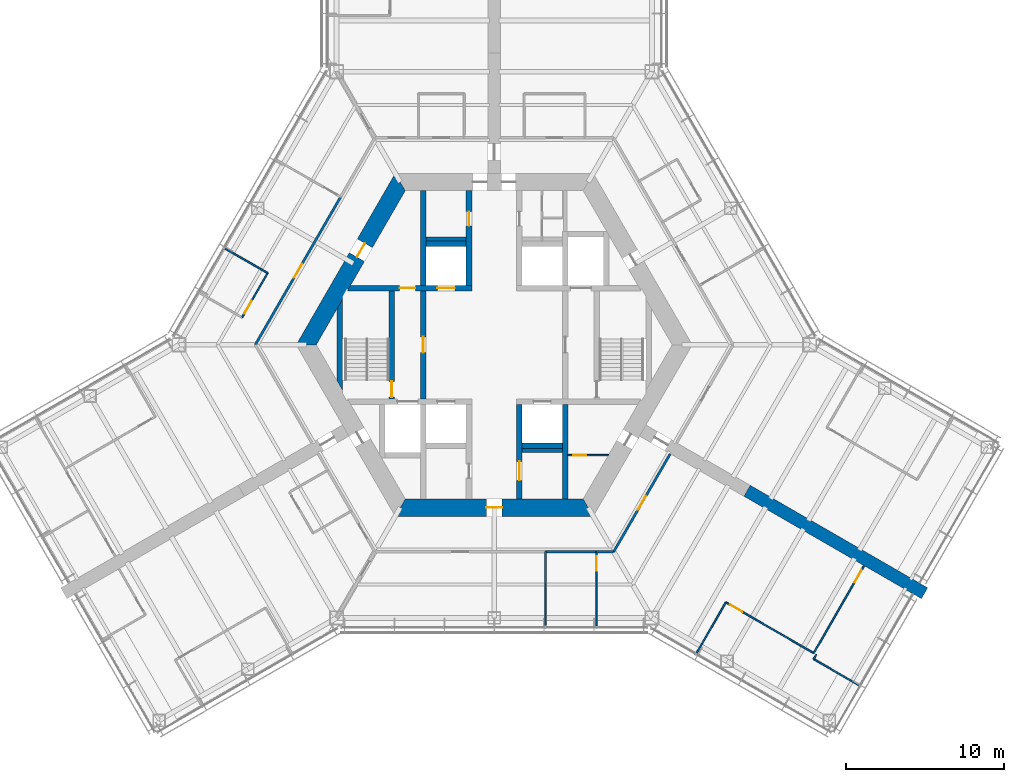
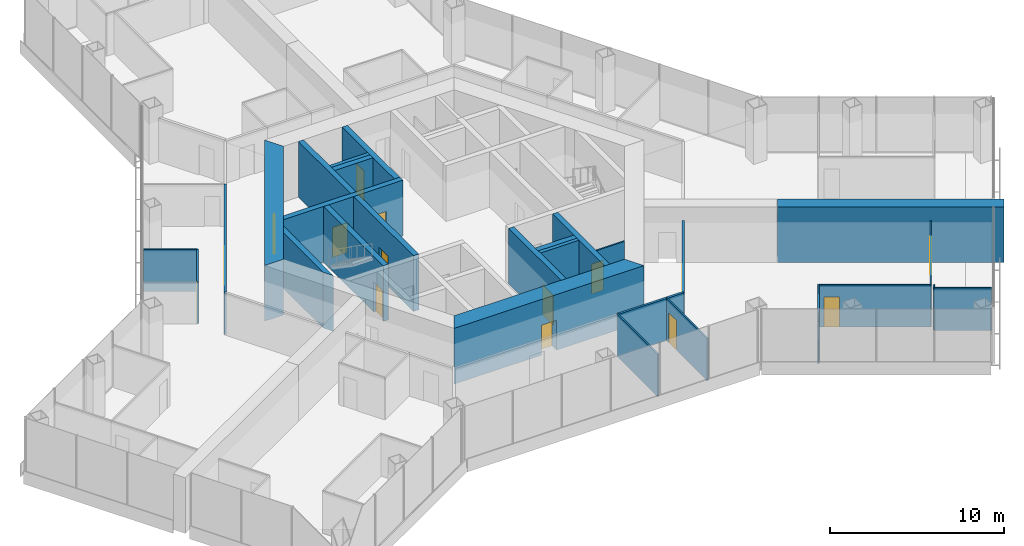
# One storey, part 13 of 18: 29 walls, 15 doors, 15 openings.
"""IFC4 building model written with IfcOpenShell, lengths in metres."""

import ifcopenshell
import ifcopenshell.guid

model = None  # the IFC model being written
_history = None  # IfcOwnerHistory: only IFC2X3 demands one
_inside = {}  # id of a spatial element -> (the spatial element, [elements in it])
_under = {}  # id of a project, library or spatial element -> (it, [spatial elements below it])
_declared = {}  # id of a project -> (the project, [libraries it declares])
_typed = {}  # id of a type object -> (the type object, [elements of that type])
_made_of = {}  # id of a material, layer set ... -> (it, [elements and type objects made of it])


def new_model(schema):
    """Start an empty IFC model of exactly this schema.

    Asked for "IFC4X3", IfcOpenShell would pick the latest addendum, in which some entities
    have other attributes; the version numbers below select the first issue.
    IFC2X3 requires an IfcOwnerHistory on every rooted entity: one is made here for all.
    """
    global model, _history
    if schema == "IFC4X3":
        model = ifcopenshell.file(schema_version=(4, 3, 0, 0))
    else:
        model = ifcopenshell.file(schema=schema)
    _inside.clear()
    _under.clear()
    _declared.clear()
    _typed.clear()
    _made_of.clear()
    _history = None
    if model.schema == "IFC2X3":
        org = make("IfcOrganization", Name="unknown")
        user = make(
            "IfcPersonAndOrganization",
            ThePerson=make("IfcPerson", FamilyName="unknown"),
            TheOrganization=org,
        )
        app = make(
            "IfcApplication",
            ApplicationDeveloper=org,
            Version="unknown",
            ApplicationFullName="unknown",
            ApplicationIdentifier="unknown",
        )
        _history = make(
            "IfcOwnerHistory",
            OwningUser=user,
            OwningApplication=app,
            ChangeAction="ADDED",
            CreationDate=0,
        )
    return model


def make(cls, **values):
    """One entity of the class cls with the attributes given. An attribute that is None is left unset."""
    return model.create_entity(
        cls, **{name: value for name, value in values.items() if value is not None}
    )


def rooted(cls, **values):
    """An entity with a GlobalId (a new one), such as an element, a storey or a relation."""
    return make(cls, GlobalId=ifcopenshell.guid.new(), OwnerHistory=_history, **values)


def si_unit(unit_type, name, prefix=None):
    """IfcSIUnit, for example si_unit("LENGTHUNIT", "METRE", prefix="MILLI")."""
    return make("IfcSIUnit", UnitType=unit_type, Prefix=prefix, Name=name)


def assignment(units):
    """IfcUnitAssignment: the units of a project."""
    return None if units is None else make("IfcUnitAssignment", Units=units)


def point(xyz):
    """IfcCartesianPoint."""
    return None if xyz is None else make("IfcCartesianPoint", Coordinates=xyz)


def direction(xyz):
    """IfcDirection."""
    return None if xyz is None else make("IfcDirection", DirectionRatios=xyz)


def frame(location, z_axis=None, x_axis=None):
    """IfcAxis2Placement3D, a coordinate frame: its origin and axes. An axis left out is left unset."""
    return make(
        "IfcAxis2Placement3D",
        Location=point(location),
        Axis=direction(z_axis),
        RefDirection=direction(x_axis),
    )


def frame_2d(location, x_axis=None):
    """IfcAxis2Placement2D, a coordinate frame in the plane: its origin and x axis."""
    return make(
        "IfcAxis2Placement2D", Location=point(location), RefDirection=direction(x_axis)
    )


def origin():
    """The frame at (0, 0, 0) with its axes left unset."""
    return frame((0.0, 0.0, 0.0))


def place(relative_to, where):
    """IfcLocalPlacement: puts the frame where relative to a parent placement (None: the world)."""
    return make(
        "IfcLocalPlacement", PlacementRelTo=relative_to, RelativePlacement=where
    )


def context(
    kind, dimensions, precision=None, world=None, true_north=None, identifier=None
):
    """IfcGeometricRepresentationContext, for example the 3D "Model" context."""
    return make(
        "IfcGeometricRepresentationContext",
        ContextIdentifier=identifier,
        ContextType=kind,
        CoordinateSpaceDimension=dimensions,
        Precision=precision,
        WorldCoordinateSystem=world,
        TrueNorth=true_north,
    )


def subcontext(parent, identifier, kind, view, scale=None):
    """IfcGeometricRepresentationSubContext, for example "Body" below "Model"."""
    return make(
        "IfcGeometricRepresentationSubContext",
        ContextIdentifier=identifier,
        ContextType=kind,
        ParentContext=parent,
        TargetScale=scale,
        TargetView=view,
    )


def project(units=None, contexts=None):
    """IfcProject with its units and contexts."""
    return rooted(
        "IfcProject",
        Name="project",
        RepresentationContexts=contexts,
        UnitsInContext=assignment(units),
    )


def spatial(cls, under=None, at=None, **own):
    """A site, building, storey or space (cls), placed at a placement, below another one or the project."""
    s = rooted(cls, ObjectPlacement=at, **own)
    if under is not None:
        _under.setdefault(under.id(), (under, []))[1].append(s)
    return s


def polyline(points):
    """IfcPolyline through the points."""
    return make("IfcPolyline", Points=[point(p) for p in points])


def profile(cls, at=None, kind="AREA", **sizes):
    """A parametric profile (cls). Its sizes go by their IFC names, for example OverallWidth=200.0."""
    return make(cls, ProfileType=kind, Position=at, **sizes)


def rectangle(**sizes):
    """IfcRectangleProfileDef."""
    return profile("IfcRectangleProfileDef", **sizes)


def outline(outer, holes=None, kind="AREA"):
    """IfcArbitraryClosedProfileDef: a profile drawn as a closed curve; with holes, ...WithVoids."""
    if holes is None:
        return make("IfcArbitraryClosedProfileDef", ProfileType=kind, OuterCurve=outer)
    return make(
        "IfcArbitraryProfileDefWithVoids",
        ProfileType=kind,
        OuterCurve=outer,
        InnerCurves=holes,
    )


def extrude(swept, where, along, depth):
    """IfcExtrudedAreaSolid: the profile swept, set in the frame where, extruded along a direction by depth."""
    return make(
        "IfcExtrudedAreaSolid",
        SweptArea=swept,
        Position=where,
        ExtrudedDirection=direction(along),
        Depth=depth,
    )


def shape(context_of_items, identifier, shape_type, items):
    """IfcShapeRepresentation: the items that make up one representation, for example the "Body"."""
    return make(
        "IfcShapeRepresentation",
        ContextOfItems=context_of_items,
        RepresentationIdentifier=identifier,
        RepresentationType=shape_type,
        Items=items,
    )


def material(Name=None, Category=None):
    """IfcMaterial."""
    return make("IfcMaterial", Name=Name, Category=Category)


def layer(
    of_material, thickness, ventilated=None, Name=None, Category=None, Priority=None
):
    """IfcMaterialLayer: one layer of a wall or slab, of a material (None: an air gap)."""
    return make(
        "IfcMaterialLayer",
        Material=of_material,
        LayerThickness=thickness,
        IsVentilated=ventilated,
        Name=Name,
        Category=Category,
        Priority=Priority,
    )


def layer_set(layers, Name=None):
    """IfcMaterialLayerSet."""
    return make("IfcMaterialLayerSet", MaterialLayers=layers, LayerSetName=Name)


def made_of(thing, what):
    """Note that an element or type object is made of a material, layer set ...; save() writes the relation."""
    if what is not None:
        _made_of.setdefault(what.id(), (what, []))[1].append(thing)
    return thing


def type_object(cls, material=None, **own):
    """A type object (cls), such as IfcWallType, which elements share."""
    return made_of(rooted(cls, **own), material)


def element(
    cls,
    number,
    at=None,
    inside=None,
    cuts=None,
    type_object=None,
    material=None,
    context=None,
    identifier="Body",
    shape_type=None,
    held_by="IfcProductDefinitionShape",
    body=None,
    shapes=None,
    **own,
):
    """One element of the class cls, such as IfcWall. Its Tag is "e" and its number.

    at: its placement. inside: the storey or other place that contains it. cuts: it is an
    opening in that element (IfcRelVoidsElement). A single representation is given by context,
    identifier, shape_type and body (its items); several are given by shapes. held_by: the class
    of the entity that holds the representations. save() writes the other relations.
    """
    e = rooted(cls, Tag="e%d" % number, ObjectPlacement=at, **own)
    if body is not None:
        shapes = [shape(context, identifier, shape_type, body)]
    if shapes is not None:
        e.Representation = make(held_by, Representations=shapes)
    if inside is not None:
        _inside.setdefault(inside.id(), (inside, []))[1].append(e)
    if cuts is not None:
        rooted(
            "IfcRelVoidsElement", RelatingBuildingElement=cuts, RelatedOpeningElement=e
        )
    if type_object is not None:
        _typed.setdefault(type_object.id(), (type_object, []))[1].append(e)
    return made_of(e, material)


def fill(opening, filler):
    """IfcRelFillsElement: the door or window that sits in an opening."""
    return rooted(
        "IfcRelFillsElement",
        RelatingOpeningElement=opening,
        RelatedBuildingElement=filler,
    )


def aggregate(whole, parts):
    """IfcRelAggregates: a whole, such as a stair, and the parts it consists of."""
    return rooted("IfcRelAggregates", RelatingObject=whole, RelatedObjects=parts)


def save(model, path):
    """Write the relations noted so far, then the file.

    IfcRelAggregates (storeys below a building ...), IfcRelContainedInSpatialStructure (elements
    in a storey), IfcRelDefinesByType, IfcRelAssociatesMaterial and IfcRelDeclares: one each for
    every whole, place, type object, material and project.
    """
    for whole, parts in _under.values():
        aggregate(whole, parts)
    for where, things in _inside.values():
        rooted(
            "IfcRelContainedInSpatialStructure",
            RelatedElements=things,
            RelatingStructure=where,
        )
    for kind, things in _typed.values():
        rooted("IfcRelDefinesByType", RelatedObjects=things, RelatingType=kind)
    for what, things in _made_of.values():
        rooted("IfcRelAssociatesMaterial", RelatedObjects=things, RelatingMaterial=what)
    for by, libraries in _declared.values():
        rooted("IfcRelDeclares", RelatingContext=by, RelatedDefinitions=libraries)
    model.write(path)


model = new_model("IFC4")

# Units and contexts
model_context = context("Model", 3, precision=1e-05, world=origin(), true_north=direction((0.0, 1.0)))
body_context = subcontext(model_context, "Body", "Model", "MODEL_VIEW")
ifc_project = project(units=[si_unit("LENGTHUNIT", "METRE"), si_unit("AREAUNIT", "SQUARE_METRE"), si_unit("VOLUMEUNIT", "CUBIC_METRE"), si_unit("PLANEANGLEUNIT", "RADIAN"), si_unit("MASSUNIT", "GRAM", prefix="KILO")], contexts=[model_context])

# Site, building, storey
site_placement = place(None, origin())
site = spatial("IfcSite", under=ifc_project, at=site_placement, CompositionType="ELEMENT")
building_placement = place(site_placement, origin())
building = spatial("IfcBuilding", under=site, at=building_placement, Name="Kasaneha Research Tower", CompositionType="ELEMENT")
storey_placement = place(building_placement, frame((0.0, 0.0, 108.0)))
storey = spatial("IfcBuildingStorey", under=building, at=storey_placement, Name="L27", CompositionType="ELEMENT", Elevation=108.0)

# Wall, openings, doors
ifc_material_1 = material(Name="Concrete Fc80", Category="concrete")
ifc_layer_1 = layer(ifc_material_1, 0.35009765625)
ifc_layer_set_1 = layer_set([ifc_layer_1], Name="Core internal wall 350 Fc80")
wall_type_1 = type_object("IfcWallType", Name="Core internal wall 350 Fc80", PredefinedType="SHEAR", material=ifc_layer_set_1)
wall_1_placement = place(storey_placement, frame((-9.208740234375, 3.60009765625, 0.0), z_axis=(0.0, 0.0, 1.0), x_axis=(1.0, 0.0, 0.0)))
wall_1 = element("IfcWall", 1, at=wall_1_placement, inside=storey, type_object=wall_type_1, Name="Core wall W1W L27", PredefinedType="SHEAR", context=body_context, shape_type="SweptSolid", body=[
    extrude(outline(polyline([(-0.10107421875, -0.175048828125), (3.208740234375, -0.175048828125), (4.208740234375, -0.175048828125), (5.608642578125, -0.175048828125), (6.708740234375, -0.175048828125), (7.78369140625, -0.175048828125), (7.78369140625, 0.175048828125), (6.708740234375, 0.175048828125), (5.608642578125, 0.175048828125), (4.208740234375, 0.175048828125), (3.208740234375, 0.175048828125), (0.10107421875, 0.175048828125), (-0.10107421875, -0.175048828125)])), origin(), (0.0, 0.0, 1.0), 3.89990234375),
])
opening_1_placement = place(wall_1_placement, frame((3.208740234375, 0.0, 0.0)))
opening_1 = element("IfcOpeningElement", 2, at=opening_1_placement, cuts=wall_1, Name="Opening L27-D12", PredefinedType="OPENING", context=body_context, shape_type="SweptSolid", body=[
    extrude(rectangle(XDim=1.0, YDim=2.10009765625, at=frame_2d((0.5, 1.050048828125))), frame((0.0, 0.18505859375, 0.0), z_axis=(0.0, -1.0, 0.0), x_axis=(1.0, 0.0, 0.0)), (0.0, 0.0, 1.0), 0.3701171875),
])
opening_2_placement = place(wall_1_placement, frame((5.608642578125, 0.0, 0.0)))
opening_2 = element("IfcOpeningElement", 3, at=opening_2_placement, cuts=wall_1, Name="Opening LD-LO1-L27", PredefinedType="OPENING", context=body_context, shape_type="SweptSolid", body=[
    extrude(rectangle(XDim=1.10009765625, YDim=2.10009765625, at=frame_2d((0.550048828125, 1.050048828125))), frame((0.0, 0.18505859375, 0.0), z_axis=(0.0, -1.0, 0.0), x_axis=(1.0, 0.0, 0.0)), (0.0, 0.0, 1.0), 0.3701171875),
])
ifc_material_2 = material(Name="Steel", Category="steel")
door_type_1 = type_object("IfcDoorType", Name="Lift landing door 1100x2100", OperationType="DOUBLE_DOOR_SLIDING", PredefinedType="DOOR", material=ifc_material_2)
door_1_placement = place(opening_2_placement, origin())
door_1 = element("IfcDoor", 4, at=door_1_placement, inside=storey, type_object=door_type_1, Name="Landing door LO1 LD-LO1-L27", OperationType="DOUBLE_DOOR_SLIDING", OverallHeight=2.10009765625, OverallWidth=1.10009765625, PredefinedType="DOOR", context=body_context, shape_type="SweptSolid", body=[
    extrude(rectangle(XDim=1.10009765625, YDim=2.10009765625, at=frame_2d((0.550048828125, 1.050048828125))), frame((0.0, 0.02490234375, 0.0), z_axis=(0.0, -1.0, 0.0), x_axis=(1.0, 0.0, 0.0)), (0.0, 0.0, 1.0), 0.050048828125),
])
fill(opening_2, door_1)
ifc_material_3 = material(Name="Steel", Category="steel")
door_type_2 = type_object("IfcDoorType", Name="Specified fire door FD60 1000x2100", OperationType="NOTDEFINED", PredefinedType="DOOR", material=ifc_material_3)
door_2_placement = place(opening_1_placement, origin())
door_2 = element("IfcDoor", 5, at=door_2_placement, inside=storey, type_object=door_type_2, Name="Vestibule to lobby door L27-D12", OperationType="SINGLE_SWING_RIGHT", OverallHeight=2.10009765625, OverallWidth=1.0, PredefinedType="DOOR", context=body_context, shape_type="SweptSolid", body=[
    extrude(rectangle(XDim=1.0, YDim=2.10009765625, at=frame_2d((0.5, 1.050048828125))), frame((0.0, 0.02490234375, 0.0), z_axis=(0.0, -1.0, 0.0), x_axis=(1.0, 0.0, 0.0)), (0.0, 0.0, 1.0), 0.050048828125),
])
fill(opening_1, door_2)

# Wall, opening, door
wall_2_placement = place(storey_placement, frame((-1.60009765625, 3.77490234375, 0.0), z_axis=(0.0, 0.0, 1.0), x_axis=(0.0, 1.0, 0.0)))
wall_2 = element("IfcWall", 6, at=wall_2_placement, inside=storey, type_object=wall_type_1, Name="Core wall CNW L27", PredefinedType="SHEAR", context=body_context, shape_type="SweptSolid", body=[
    extrude(rectangle(XDim=6.0, YDim=0.35009765625, at=frame_2d((3.0, 0.0))), origin(), (0.0, 0.0, 1.0), 3.89990234375),
])
opening_3_placement = place(wall_2_placement, frame((3.77490234375, 0.0, 0.0)))
opening_3 = element("IfcOpeningElement", 7, at=opening_3_placement, cuts=wall_2, Name="Opening L27-D13", PredefinedType="OPENING", context=body_context, shape_type="SweptSolid", body=[
    extrude(rectangle(XDim=0.89990234375, YDim=2.10009765625, at=frame_2d((0.449951171875, 1.050048828125))), frame((0.0, 0.18505859375, 0.0), z_axis=(0.0, -1.0, 0.0), x_axis=(1.0, 0.0, 0.0)), (0.0, 0.0, 1.0), 0.3701171875),
])
ifc_material_4 = material(Name="Steel", Category="steel")
door_type_3 = type_object("IfcDoorType", Name="Toilet door FD20 900x2100", OperationType="NOTDEFINED", PredefinedType="DOOR", material=ifc_material_4)
door_3_placement = place(opening_3_placement, origin())
door_3 = element("IfcDoor", 8, at=door_3_placement, inside=storey, type_object=door_type_3, Name="Men's WC door L27-D13", OperationType="SINGLE_SWING_LEFT", OverallHeight=2.10009765625, OverallWidth=0.89990234375, PredefinedType="DOOR", context=body_context, shape_type="SweptSolid", body=[
    extrude(rectangle(XDim=0.89990234375, YDim=2.10009765625, at=frame_2d((0.449951171875, 1.050048828125))), frame((0.0, 0.02490234375, 0.0), z_axis=(0.0, -1.0, 0.0), x_axis=(1.0, 0.0, 0.0)), (0.0, 0.0, 1.0), 0.050048828125),
])
fill(opening_3, door_3)

wall_3_placement = place(storey_placement, frame((1.60009765625, -3.77490234375, 0.0), z_axis=(0.0, 0.0, 1.0), x_axis=(0.0, -1.0, 0.0)))
wall_3 = element("IfcWall", 9, at=wall_3_placement, inside=storey, type_object=wall_type_1, Name="Core wall CSE L27", PredefinedType="SHEAR", context=body_context, shape_type="SweptSolid", body=[
    extrude(rectangle(XDim=6.0, YDim=0.35009765625, at=frame_2d((3.0, 0.0))), origin(), (0.0, 0.0, 1.0), 3.89990234375),
])
opening_4_placement = place(wall_3_placement, frame((3.625, 0.0, 0.0)))
opening_4 = element("IfcOpeningElement", 10, at=opening_4_placement, cuts=wall_3, Name="Opening L27-D15", PredefinedType="OPENING", context=body_context, shape_type="SweptSolid", body=[
    extrude(rectangle(XDim=1.199951171875, YDim=2.10009765625, at=frame_2d((0.60009765625, 1.050048828125))), frame((0.0, 0.18505859375, 0.0), z_axis=(0.0, -1.0, 0.0), x_axis=(1.0, 0.0, 0.0)), (0.0, 0.0, 1.0), 0.3701171875),
])
ifc_material_5 = material(Name="Steel", Category="steel")
door_type_4 = type_object("IfcDoorType", Name="Accessible toilet sliding door FD20 1200x2100", OperationType="SLIDING_TO_LEFT", PredefinedType="DOOR", material=ifc_material_5)
door_4_placement = place(opening_4_placement, origin())
door_4 = element("IfcDoor", 11, at=door_4_placement, inside=storey, type_object=door_type_4, Name="Accessible WC door L27-D15", OperationType="SLIDING_TO_LEFT", OverallHeight=2.10009765625, OverallWidth=1.199951171875, PredefinedType="DOOR", context=body_context, shape_type="SweptSolid", body=[
    extrude(rectangle(XDim=1.199951171875, YDim=2.10009765625, at=frame_2d((0.60009765625, 1.050048828125))), frame((0.0, 0.02490234375, 0.0), z_axis=(0.0, -1.0, 0.0), x_axis=(1.0, 0.0, 0.0)), (0.0, 0.0, 1.0), 0.050048828125),
])
fill(opening_4, door_4)

wall_4_placement = place(storey_placement, frame((-4.5, -3.425048828125, 0.0), z_axis=(0.0, 0.0, 1.0), x_axis=(0.0, 1.0, 0.0)))
wall_4 = element("IfcWall", 12, at=wall_4_placement, inside=storey, type_object=wall_type_1, Name="Core wall LBW L27", PredefinedType="SHEAR", context=body_context, shape_type="SweptSolid", body=[
    extrude(rectangle(XDim=6.85009765625, YDim=0.35009765625, at=frame_2d((3.425048828125, 0.0))), origin(), (0.0, 0.0, 1.0), 3.89990234375),
])
opening_5_placement = place(wall_4_placement, frame((2.925048828125, 0.0, 0.0)))
opening_5 = element("IfcOpeningElement", 13, at=opening_5_placement, cuts=wall_4, Name="Opening L27-D09", PredefinedType="OPENING", context=body_context, shape_type="SweptSolid", body=[
    extrude(rectangle(XDim=1.0, YDim=2.10009765625, at=frame_2d((0.5, 1.050048828125))), frame((0.0, 0.18505859375, 0.0), z_axis=(0.0, -1.0, 0.0), x_axis=(1.0, 0.0, 0.0)), (0.0, 0.0, 1.0), 0.3701171875),
])
door_5_placement = place(opening_5_placement, origin())
door_5 = element("IfcDoor", 14, at=door_5_placement, inside=storey, type_object=door_type_2, Name="Lift lobby door west L27-D09", OperationType="SINGLE_SWING_LEFT", OverallHeight=2.10009765625, OverallWidth=1.0, PredefinedType="DOOR", context=body_context, shape_type="SweptSolid", body=[
    extrude(rectangle(XDim=1.0, YDim=2.10009765625, at=frame_2d((0.5, 1.050048828125))), frame((0.0, 0.02490234375, 0.0), z_axis=(0.0, -1.0, 0.0), x_axis=(1.0, 0.0, 0.0)), (0.0, 0.0, 1.0), 0.050048828125),
])
fill(opening_5, door_5)

wall_5_placement = place(storey_placement, frame((-6.5, -3.425048828125, 0.0), z_axis=(0.0, 0.0, 1.0), x_axis=(0.0, 1.0, 0.0)))
wall_5 = element("IfcWall", 15, at=wall_5_placement, inside=storey, type_object=wall_type_1, Name="Core wall ANW L27", PredefinedType="SHEAR", context=body_context, shape_type="SweptSolid", body=[
    extrude(rectangle(XDim=6.85009765625, YDim=0.35009765625, at=frame_2d((3.425048828125, 0.0))), origin(), (0.0, 0.0, 1.0), 3.89990234375),
])
opening_6_placement = place(wall_5_placement, frame((0.10009765625, 0.0, 0.0)))
opening_6 = element("IfcOpeningElement", 16, at=opening_6_placement, cuts=wall_5, Name="Opening L27-D11", PredefinedType="OPENING", context=body_context, shape_type="SweptSolid", body=[
    extrude(rectangle(XDim=1.0, YDim=2.10009765625, at=frame_2d((0.5, 1.050048828125))), frame((0.0, 0.18505859375, 0.0), z_axis=(0.0, -1.0, 0.0), x_axis=(1.0, 0.0, 0.0)), (0.0, 0.0, 1.0), 0.3701171875),
])
door_6_placement = place(opening_6_placement, origin())
door_6 = element("IfcDoor", 17, at=door_6_placement, inside=storey, type_object=door_type_2, Name="Stair 2 door L27-D11", OperationType="SINGLE_SWING_LEFT", OverallHeight=2.10009765625, OverallWidth=1.0, PredefinedType="DOOR", context=body_context, shape_type="SweptSolid", body=[
    extrude(rectangle(XDim=1.0, YDim=2.10009765625, at=frame_2d((0.5, 1.050048828125))), frame((0.0, 0.02490234375, 0.0), z_axis=(0.0, -1.0, 0.0), x_axis=(1.0, 0.0, 0.0)), (0.0, 0.0, 1.0), 0.050048828125),
])
fill(opening_6, door_6)

# Walls
for number, where, z_axis, x_axis, name in (
    (18, (-4.5, 3.77490234375, 0.0), (0.0, 0.0, 1.0), (0.0, 1.0, 0.0), "Core wall VNW L27"),
    (19, (4.5, -3.77490234375, 0.0), (0.0, 0.0, 1.0), (0.0, -1.0, 0.0), "Core wall SSE L27"),
):
    element("IfcWall", number, at=place(storey_placement, frame(where, z_axis=z_axis, x_axis=x_axis)), inside=storey, type_object=wall_type_1, Name=name, PredefinedType="SHEAR", context=body_context, shape_type="SweptSolid", body=[
        extrude(rectangle(XDim=6.0, YDim=0.35009765625, at=frame_2d((3.0, 0.0))), origin(), (0.0, 0.0, 1.0), 3.89990234375),
    ])
for number, where, z_axis, x_axis, name in (
    (20, (-4.324951171875, 6.39990234375, 0.0), (0.0, 0.0, 1.0), (1.0, 0.0, 0.0), "Core wall N1N L27"),
    (21, (1.77490234375, -6.39990234375, 0.0), (0.0, 0.0, 1.0), (1.0, 0.0, 0.0), "Core wall S3S L27"),
):
    element("IfcWall", number, at=place(storey_placement, frame(where, z_axis=z_axis, x_axis=x_axis)), inside=storey, type_object=wall_type_1, Name=name, PredefinedType="SHEAR", context=body_context, shape_type="SweptSolid", body=[
        extrude(rectangle(XDim=2.550048828125, YDim=0.35009765625, at=frame_2d((1.27490234375, 0.0))), origin(), (0.0, 0.0, 1.0), 3.89990234375),
    ])
wall_6_placement = place(storey_placement, frame((-9.807861328125, -2.562255859375, 0.0), z_axis=(0.0, 0.0, 1.0), x_axis=(0.0, 1.0, 0.0)))
element("IfcWall", 22, at=wall_6_placement, inside=storey, type_object=wall_type_1, Name="Core wall STW L27", PredefinedType="SHEAR", context=body_context, shape_type="SweptSolid", body=[
    extrude(outline(polyline([(-0.30322265625, -0.175048828125), (5.427734375, -0.175048828125), (4.8212890625, 0.175048828125), (0.30322265625, 0.175048828125), (-0.30322265625, -0.175048828125)])), origin(), (0.0, 0.0, 1.0), 3.89990234375),
])

# Wall, opening, door
ifc_material_6 = material(Name="Concrete Fc80", Category="concrete")
ifc_layer_2 = layer(ifc_material_6, 1.10009765625)
ifc_layer_set_2 = layer_set([ifc_layer_2], Name="Core wall 1100 Fc80")
wall_type_2 = type_object("IfcWallType", Name="Core wall 1100 Fc80", PredefinedType="SHEAR", material=ifc_layer_set_2)
wall_7_placement = place(storey_placement, frame((-5.961181640625, 10.324951171875, 0.0), z_axis=(0.0, 0.0, 1.0), x_axis=(-0.500004296715, -0.866022923061, 0.0)))
wall_7 = element("IfcWall", 23, at=wall_7_placement, inside=storey, type_object=wall_type_2, Name="Core wall 150 L27", PredefinedType="SHEAR", context=body_context, shape_type="SweptSolid", body=[
    extrude(outline(polyline([(-0.317626953125, -0.550048828125), (4.494140625, -0.550048828125), (5.494140625, -0.550048828125), (12.239990234375, -0.550048828125), (11.604736328125, 0.550048828125), (5.494140625, 0.550048828125), (4.494140625, 0.550048828125), (0.317626953125, 0.550048828125), (-0.317626953125, -0.550048828125)])), origin(), (0.0, 0.0, 1.0), 3.89990234375),
])
opening_7_placement = place(wall_7_placement, frame((4.494140625, 0.0, 0.0)))
opening_7 = element("IfcOpeningElement", 24, at=opening_7_placement, cuts=wall_7, Name="Opening L27-D07", PredefinedType="OPENING", context=body_context, shape_type="SweptSolid", body=[
    extrude(rectangle(XDim=1.0, YDim=2.10009765625, at=frame_2d((0.5, 1.050048828125))), frame((0.0, 0.56005859375, 0.0), z_axis=(0.0, -1.0, 0.0), x_axis=(1.0, 0.0, 0.0)), (0.0, 0.0, 1.0), 1.1201171875),
])
ifc_material_7 = material(Name="Steel", Category="steel")
door_type_5 = type_object("IfcDoorType", Name="Fire door FD20 1000x2100", OperationType="NOTDEFINED", PredefinedType="DOOR", material=ifc_material_7)
door_7_placement = place(opening_7_placement, origin())
door_7 = element("IfcDoor", 25, at=door_7_placement, inside=storey, type_object=door_type_5, Name="Vestibule door L27-D07", OperationType="SINGLE_SWING_LEFT", OverallHeight=2.10009765625, OverallWidth=1.0, PredefinedType="DOOR", context=body_context, shape_type="SweptSolid", body=[
    extrude(rectangle(XDim=1.0, YDim=2.10009765625, at=frame_2d((0.5, 1.050048828125))), frame((0.0, 0.02490234375, 0.0), z_axis=(0.0, -1.0, 0.0), x_axis=(1.0, 0.0, 0.0)), (0.0, 0.0, 1.0), 0.050048828125),
])
fill(opening_7, door_7)

wall_8_placement = place(storey_placement, frame((-5.961181640625, -10.324951171875, 0.0), z_axis=(0.0, 0.0, 1.0), x_axis=(1.0, 0.0, 0.0)))
wall_8 = element("IfcWall", 26, at=wall_8_placement, inside=storey, type_object=wall_type_2, Name="Core wall 270 L27", PredefinedType="SHEAR", context=body_context, shape_type="SweptSolid", body=[
    extrude(outline(polyline([(-0.317626953125, -0.550048828125), (5.461181640625, -0.550048828125), (6.461181640625, -0.550048828125), (12.239990234375, -0.550048828125), (11.604736328125, 0.550048828125), (6.461181640625, 0.550048828125), (5.461181640625, 0.550048828125), (0.317626953125, 0.550048828125), (-0.317626953125, -0.550048828125)])), origin(), (0.0, 0.0, 1.0), 3.89990234375),
])
opening_8_placement = place(wall_8_placement, frame((5.461181640625, 0.0, 0.0)))
opening_8 = element("IfcOpeningElement", 27, at=opening_8_placement, cuts=wall_8, Name="Opening L27-D03", PredefinedType="OPENING", context=body_context, shape_type="SweptSolid", body=[
    extrude(rectangle(XDim=1.0, YDim=2.10009765625, at=frame_2d((0.5, 1.050048828125))), frame((0.0, 0.56005859375, 0.0), z_axis=(0.0, -1.0, 0.0), x_axis=(1.0, 0.0, 0.0)), (0.0, 0.0, 1.0), 1.1201171875),
])
door_8_placement = place(opening_8_placement, origin())
door_8 = element("IfcDoor", 28, at=door_8_placement, inside=storey, type_object=door_type_5, Name="Core door south L27-D03", OperationType="SINGLE_SWING_LEFT", OverallHeight=2.10009765625, OverallWidth=1.0, PredefinedType="DOOR", context=body_context, shape_type="SweptSolid", body=[
    extrude(rectangle(XDim=1.0, YDim=2.10009765625, at=frame_2d((0.5, 1.050048828125))), frame((0.0, 0.02490234375, 0.0), z_axis=(0.0, -1.0, 0.0), x_axis=(1.0, 0.0, 0.0)), (0.0, 0.0, 1.0), 0.050048828125),
])
fill(opening_8, door_8)

ifc_material_8 = material(Name="Gypsum board on steel studs, one layer each side", Category="steel")
ifc_layer_3 = layer(ifc_material_8, 0.10009765625)
ifc_layer_set_3 = layer_set([ifc_layer_3], Name="Office partition 100")
wall_type_3 = type_object("IfcWallType", Name="Office partition 100", PredefinedType="PARTITIONING", material=ifc_layer_set_3)
wall_9_placement = place(storey_placement, frame((4.675048828125, -7.0, 0.0), z_axis=(0.0, 0.0, 1.0), x_axis=(1.0, 0.0, 0.0)))
wall_9 = element("IfcWall", 29, at=wall_9_placement, inside=storey, type_object=wall_type_3, Name="Office partition RS-SE L27", PredefinedType="PARTITIONING", context=body_context, shape_type="SweptSolid", body=[
    extrude(outline(polyline([(0.0, -0.050048828125), (0.35009765625, -0.050048828125), (1.150146484375, -0.050048828125), (2.5419921875, -0.050048828125), (2.57080078125, 0.0), (2.57666015625, 0.050048828125), (1.150146484375, 0.050048828125), (0.35009765625, 0.050048828125), (0.0, 0.050048828125), (0.0, -0.050048828125)])), origin(), (0.0, 0.0, 1.0), 2.949951171875),
])
opening_9_placement = place(wall_9_placement, frame((0.35009765625, 0.0, 0.0)))
opening_9 = element("IfcOpeningElement", 30, at=opening_9_placement, cuts=wall_9, Name="Opening L27-D22", PredefinedType="OPENING", context=body_context, shape_type="SweptSolid", body=[
    extrude(rectangle(XDim=0.800048828125, YDim=2.10009765625, at=frame_2d((0.39990234375, 1.050048828125))), frame((0.0, 0.06005859375, 0.0), z_axis=(0.0, -1.0, 0.0), x_axis=(1.0, 0.0, 0.0)), (0.0, 0.0, 1.0), 0.1201171875),
])
ifc_material_9 = material(Name="Steel", Category="steel")
door_type_6 = type_object("IfcDoorType", Name="Riser access door FD60 800x2100", OperationType="NOTDEFINED", PredefinedType="DOOR", material=ifc_material_9)
door_9_placement = place(opening_9_placement, origin())
door_9 = element("IfcDoor", 31, at=door_9_placement, inside=storey, type_object=door_type_6, Name="Drainage riser door L27-D22", OperationType="SINGLE_SWING_LEFT", OverallHeight=2.10009765625, OverallWidth=0.800048828125, PredefinedType="DOOR", context=body_context, shape_type="SweptSolid", body=[
    extrude(rectangle(XDim=0.800048828125, YDim=2.10009765625, at=frame_2d((0.39990234375, 1.050048828125))), frame((0.0, 0.02490234375, 0.0), z_axis=(0.0, -1.0, 0.0), x_axis=(1.0, 0.0, 0.0)), (0.0, 0.0, 1.0), 0.050048828125),
])
fill(opening_9, door_9)

# Wall
wall_10_placement = place(storey_placement, frame((-17.05615234375, 6.098876953125, 0.0), z_axis=(0.0, 0.0, 1.0), x_axis=(0.86600983753, -0.500026960575, 0.0)))
element("IfcWall", 32, at=wall_10_placement, inside=storey, type_object=wall_type_3, Name="Office partition FBN11 L27", PredefinedType="PARTITIONING", context=body_context, shape_type="SweptSolid", body=[
    extrude(rectangle(XDim=3.099853515625, YDim=0.10009765625, at=frame_2d((1.5498046875, 0.0))), origin(), (0.0, 0.0, 1.0), 2.949951171875),
])

# Wall, opening, door
wall_11_placement = place(storey_placement, frame((-14.37158203125, 4.548828125, 0.0), z_axis=(0.0, 0.0, 1.0), x_axis=(-0.499956811548, -0.866050337213, 0.0)))
wall_11 = element("IfcWall", 33, at=wall_11_placement, inside=storey, type_object=wall_type_3, Name="Office partition FBN13 L27", PredefinedType="PARTITIONING", context=body_context, shape_type="SweptSolid", body=[
    extrude(rectangle(XDim=3.246337890625, YDim=0.10009765625, at=frame_2d((1.623046875, 0.0))), origin(), (0.0, 0.0, 1.0), 2.949951171875),
])
opening_10_placement = place(wall_11_placement, frame((2.04638671875, 0.0, 0.0)))
opening_10 = element("IfcOpeningElement", 34, at=opening_10_placement, cuts=wall_11, Name="Opening L27-D39", PredefinedType="OPENING", context=body_context, shape_type="SweptSolid", body=[
    extrude(rectangle(XDim=0.89990234375, YDim=2.10009765625, at=frame_2d((0.449951171875, 1.050048828125))), frame((0.0, 0.06005859375, 0.0), z_axis=(0.0, -1.0, 0.0), x_axis=(1.0, 0.0, 0.0)), (0.0, 0.0, 1.0), 0.1201171875),
])
ifc_material_10 = material(Name="Timber veneer", Category="wood")
door_type_7 = type_object("IfcDoorType", Name="Office door 900x2100", OperationType="SINGLE_SWING_LEFT", PredefinedType="DOOR", material=ifc_material_10)
door_10_placement = place(opening_10_placement, origin())
door_10 = element("IfcDoor", 35, at=door_10_placement, inside=storey, type_object=door_type_7, Name="Workroom door L27-D39", OperationType="SINGLE_SWING_RIGHT", OverallHeight=2.10009765625, OverallWidth=0.89990234375, PredefinedType="DOOR", context=body_context, shape_type="SweptSolid", body=[
    extrude(rectangle(XDim=0.89990234375, YDim=2.10009765625, at=frame_2d((0.449951171875, 1.050048828125))), frame((0.0, 0.02490234375, 0.0), z_axis=(0.0, -1.0, 0.0), x_axis=(1.0, 0.0, 0.0)), (0.0, 0.0, 1.0), 0.050048828125),
])
fill(opening_10, door_10)

wall_12_placement = place(storey_placement, frame((6.48828125, -13.125, 0.0), z_axis=(0.0, 0.0, 1.0), x_axis=(0.000982673433, -0.999999517176, 0.0)))
wall_12 = element("IfcWall", 36, at=wall_12_placement, inside=storey, type_object=wall_type_3, Name="Office partition FCS05 L27", PredefinedType="PARTITIONING", context=body_context, shape_type="SweptSolid", body=[
    extrude(rectangle(XDim=4.720458984375, YDim=0.10009765625, at=frame_2d((2.3603515625, 0.0))), origin(), (0.0, 0.0, 1.0), 2.949951171875),
])
opening_11_placement = place(wall_12_placement, frame((0.300048828125, 0.0, 0.0)))
opening_11 = element("IfcOpeningElement", 37, at=opening_11_placement, cuts=wall_12, Name="Opening L27-D48", PredefinedType="OPENING", context=body_context, shape_type="SweptSolid", body=[
    extrude(rectangle(XDim=0.89990234375, YDim=2.10009765625, at=frame_2d((0.449951171875, 1.050048828125))), frame((0.0, 0.06005859375, 0.0), z_axis=(0.0, -1.0, 0.0), x_axis=(1.0, 0.0, 0.0)), (0.0, 0.0, 1.0), 0.1201171875),
])
door_11_placement = place(opening_11_placement, origin())
door_11 = element("IfcDoor", 38, at=door_11_placement, inside=storey, type_object=door_type_7, Name="Manager's office door L27-D48", OperationType="SINGLE_SWING_LEFT", OverallHeight=2.10009765625, OverallWidth=0.89990234375, PredefinedType="DOOR", context=body_context, shape_type="SweptSolid", body=[
    extrude(rectangle(XDim=0.89990234375, YDim=2.10009765625, at=frame_2d((0.449951171875, 1.050048828125))), frame((0.0, 0.02490234375, 0.0), z_axis=(0.0, -1.0, 0.0), x_axis=(1.0, 0.0, 0.0)), (0.0, 0.0, 1.0), 0.050048828125),
])
fill(opening_11, door_11)

# Walls
wall_13_placement = place(storey_placement, frame((3.246337890625, -17.800537109375, 0.0), z_axis=(0.0, 0.0, 1.0), x_axis=(0.000992114806, 0.999999507854, 0.0)))
element("IfcWall", 39, at=wall_13_placement, inside=storey, type_object=wall_type_3, Name="Office partition FCS06 L27", PredefinedType="PARTITIONING", context=body_context, shape_type="SweptSolid", body=[
    extrude(rectangle(XDim=4.675537109375, YDim=0.10009765625, at=frame_2d((2.337890625, 0.0))), origin(), (0.0, 0.0, 1.0), 2.949951171875),
])
wall_14_placement = place(storey_placement, frame((20.258056640625, -19.933349609375, 0.0), z_axis=(0.0, 0.0, 1.0), x_axis=(0.866015045157, -0.50001794124, 0.0)))
element("IfcWall", 40, at=wall_14_placement, inside=storey, type_object=wall_type_3, Name="Office partition FCS07 L27", PredefinedType="PARTITIONING", context=body_context, shape_type="SweptSolid", body=[
    extrude(rectangle(XDim=3.2900390625, YDim=0.10009765625, at=frame_2d((1.64501953125, 0.0))), origin(), (0.0, 0.0, 1.0), 2.949951171875),
])
wall_15_placement = place(storey_placement, frame((20.425048828125, -19.644287109375, 0.0), z_axis=(0.0, 0.0, 1.0), x_axis=(-0.500228859883, -0.865893231143, 0.0)))
element("IfcWall", 41, at=wall_15_placement, inside=storey, type_object=wall_type_3, Name="Office partition FCS08 L27", PredefinedType="PARTITIONING", context=body_context, shape_type="SweptSolid", body=[
    extrude(rectangle(XDim=0.333740234375, YDim=0.10009765625, at=frame_2d((0.1669921875, 0.0))), origin(), (0.0, 0.0, 1.0), 2.949951171875),
])
wall_16_placement = place(storey_placement, frame((12.84228515625, -19.538818359375, 0.0), z_axis=(0.0, 0.0, 1.0), x_axis=(0.499964254978, 0.866046040199, 0.0)))
element("IfcWall", 42, at=wall_16_placement, inside=storey, type_object=wall_type_3, Name="Office partition FCS09 L27", PredefinedType="PARTITIONING", context=body_context, shape_type="SweptSolid", body=[
    extrude(rectangle(XDim=3.699951171875, YDim=0.10009765625, at=frame_2d((1.85009765625, 0.0))), origin(), (0.0, 0.0, 1.0), 2.949951171875),
])

# Wall, opening, door
wall_17_placement = place(storey_placement, frame((14.692138671875, -16.33447265625, 0.0), z_axis=(0.0, 0.0, 1.0), x_axis=(0.866023188807, -0.500003836433, 0.0)))
wall_17 = element("IfcWall", 43, at=wall_17_placement, inside=storey, type_object=wall_type_3, Name="Office partition FCS10 L27", PredefinedType="PARTITIONING", context=body_context, shape_type="SweptSolid", body=[
    extrude(rectangle(XDim=6.43408203125, YDim=0.10009765625, at=frame_2d((3.217041015625, 0.0))), origin(), (0.0, 0.0, 1.0), 2.949951171875),
])
opening_12_placement = place(wall_17_placement, frame((0.300048828125, 0.0, 0.0)))
opening_12 = element("IfcOpeningElement", 44, at=opening_12_placement, cuts=wall_17, Name="Opening L27-D49", PredefinedType="OPENING", context=body_context, shape_type="SweptSolid", body=[
    extrude(rectangle(XDim=0.89990234375, YDim=2.10009765625, at=frame_2d((0.449951171875, 1.050048828125))), frame((0.0, 0.06005859375, 0.0), z_axis=(0.0, -1.0, 0.0), x_axis=(1.0, 0.0, 0.0)), (0.0, 0.0, 1.0), 0.1201171875),
])
door_12_placement = place(opening_12_placement, origin())
door_12 = element("IfcDoor", 45, at=door_12_placement, inside=storey, type_object=door_type_7, Name="Meeting room door L27-D49", OperationType="SINGLE_SWING_LEFT", OverallHeight=2.10009765625, OverallWidth=0.89990234375, PredefinedType="DOOR", context=body_context, shape_type="SweptSolid", body=[
    extrude(rectangle(XDim=0.89990234375, YDim=2.10009765625, at=frame_2d((0.449951171875, 1.050048828125))), frame((0.0, 0.02490234375, 0.0), z_axis=(0.0, -1.0, 0.0), x_axis=(1.0, 0.0, 0.0)), (0.0, 0.0, 1.0), 0.050048828125),
])
fill(opening_12, door_12)

wall_18_placement = place(storey_placement, frame((20.26416015625, -19.551513671875, 0.0), z_axis=(0.0, 0.0, 1.0), x_axis=(0.499374576797, 0.866386191054, 0.0)))
wall_18 = element("IfcWall", 46, at=wall_18_placement, inside=storey, type_object=wall_type_3, Name="Office partition FCS11 L27", PredefinedType="PARTITIONING", context=body_context, shape_type="SweptSolid", body=[
    extrude(rectangle(XDim=6.380126953125, YDim=0.10009765625, at=frame_2d((3.18994140625, 0.0))), origin(), (0.0, 0.0, 1.0), 2.949951171875),
])
opening_13_placement = place(wall_18_placement, frame((5.18017578125, 0.0, 0.0)))
opening_13 = element("IfcOpeningElement", 47, at=opening_13_placement, cuts=wall_18, Name="Opening L27-D50", PredefinedType="OPENING", context=body_context, shape_type="SweptSolid", body=[
    extrude(rectangle(XDim=0.89990234375, YDim=2.10009765625, at=frame_2d((0.449951171875, 1.050048828125))), frame((0.0, 0.06005859375, 0.0), z_axis=(0.0, -1.0, 0.0), x_axis=(1.0, 0.0, 0.0)), (0.0, 0.0, 1.0), 0.1201171875),
])
door_13_placement = place(opening_13_placement, origin())
door_13 = element("IfcDoor", 48, at=door_13_placement, inside=storey, type_object=door_type_7, Name="Manager's office door L27-D50", OperationType="SINGLE_SWING_RIGHT", OverallHeight=2.10009765625, OverallWidth=0.89990234375, PredefinedType="DOOR", context=body_context, shape_type="SweptSolid", body=[
    extrude(rectangle(XDim=0.89990234375, YDim=2.10009765625, at=frame_2d((0.449951171875, 1.050048828125))), frame((0.0, 0.02490234375, 0.0), z_axis=(0.0, -1.0, 0.0), x_axis=(1.0, 0.0, 0.0)), (0.0, 0.0, 1.0), 0.050048828125),
])
fill(opening_13, door_13)

# Wall
ifc_material_11 = material(Name="Concrete Fc80", Category="concrete")
ifc_layer_4 = layer(ifc_material_11, 0.800048828125)
ifc_layer_set_4 = layer_set([ifc_layer_4], Name="Spine wall 800 Fc80")
wall_type_4 = type_object("IfcWallType", Name="Spine wall 800 Fc80", PredefinedType="SHEAR", material=ifc_layer_set_4)
wall_19_placement = place(storey_placement, frame((16.039306640625, -9.26025390625, 0.0), z_axis=(0.0, 0.0, 1.0), x_axis=(0.866024837091, -0.50000098154, 0.0)))
element("IfcWall", 49, at=wall_19_placement, inside=storey, type_object=wall_type_4, Name="Spine wall C wing L27", PredefinedType="SHEAR", context=body_context, shape_type="SweptSolid", body=[
    extrude(rectangle(XDim=13.0, YDim=0.800048828125, at=frame_2d((6.5, 0.0))), origin(), (0.0, 0.0, 1.0), 3.89990234375),
])

# Wall, opening, door
ifc_material_12 = material(Name="Gypsum board on steel studs, two layers each side", Category="steel")
ifc_layer_5 = layer(ifc_material_12, 0.14990234375)
ifc_layer_set_5 = layer_set([ifc_layer_5], Name="Suite partition 150")
wall_type_5 = type_object("IfcWallType", Name="Suite partition 150", PredefinedType="PARTITIONING", material=ifc_layer_set_5)
wall_20_placement = place(storey_placement, frame((-15.155517578125, 0.0, 0.0), z_axis=(0.0, 0.0, 1.0), x_axis=(0.500006743721, 0.866021510261, 0.0)))
wall_20 = element("IfcWall", 50, at=wall_20_placement, inside=storey, type_object=wall_type_5, Name="Suite partition FBN02 L27", PredefinedType="PARTITIONING", context=body_context, shape_type="SweptSolid", body=[
    extrude(rectangle(XDim=10.828369140625, YDim=0.14990234375, at=frame_2d((5.4140625, 0.0))), origin(), (0.0, 0.0, 1.0), 2.949951171875),
])
opening_14_placement = place(wall_20_placement, frame((4.914306640625, 0.0, 0.0)))
opening_14 = element("IfcOpeningElement", 51, at=opening_14_placement, cuts=wall_20, Name="Opening L27-D34", PredefinedType="OPENING", context=body_context, shape_type="SweptSolid", body=[
    extrude(rectangle(XDim=1.0, YDim=2.10009765625, at=frame_2d((0.5, 1.050048828125))), frame((0.0, 0.0849609375, 0.0), z_axis=(0.0, -1.0, 0.0), x_axis=(1.0, 0.0, 0.0)), (0.0, 0.0, 1.0), 0.169921875),
])
ifc_material_13 = material(Name="Steel", Category="steel")
door_type_8 = type_object("IfcDoorType", Name="Suite entrance door FD60 1000x2100", OperationType="NOTDEFINED", PredefinedType="DOOR", material=ifc_material_13)
door_14_placement = place(opening_14_placement, origin())
door_14 = element("IfcDoor", 52, at=door_14_placement, inside=storey, type_object=door_type_8, Name="Suite entrance door L27-D34", OperationType="SINGLE_SWING_RIGHT", OverallHeight=2.10009765625, OverallWidth=1.0, PredefinedType="DOOR", context=body_context, shape_type="SweptSolid", body=[
    extrude(rectangle(XDim=1.0, YDim=2.10009765625, at=frame_2d((0.5, 1.050048828125))), frame((0.0, 0.02490234375, 0.0), z_axis=(0.0, -1.0, 0.0), x_axis=(1.0, 0.0, 0.0)), (0.0, 0.0, 1.0), 0.050048828125),
])
fill(opening_14, door_14)

# Walls
wall_21_placement = place(storey_placement, frame((6.497802734375, -13.125, 0.0), z_axis=(0.0, 0.0, 1.0), x_axis=(-1.0, 0.0, 0.0)))
element("IfcWall", 53, at=wall_21_placement, inside=storey, type_object=wall_type_5, Name="Suite partition FCS01 L27", PredefinedType="PARTITIONING", context=body_context, shape_type="SweptSolid", body=[
    extrude(rectangle(XDim=3.25634765625, YDim=0.14990234375, at=frame_2d((1.628173828125, 0.0))), origin(), (0.0, 0.0, 1.0), 2.949951171875),
])
wall_22_placement = place(storey_placement, frame((7.57763671875, -13.125, 0.0), z_axis=(0.0, 0.0, 1.0), x_axis=(-1.0, 0.0, 0.0)))
element("IfcWall", 54, at=wall_22_placement, inside=storey, type_object=wall_type_5, Name="Suite partition FCS02 L27", PredefinedType="PARTITIONING", context=body_context, shape_type="SweptSolid", body=[
    extrude(rectangle(XDim=1.08935546875, YDim=0.14990234375, at=frame_2d((0.544677734375, 0.0))), origin(), (0.0, 0.0, 1.0), 2.949951171875),
])

# Wall, opening, door
wall_23_placement = place(storey_placement, frame((11.156494140625, -6.92626953125, 0.0), z_axis=(0.0, 0.0, 1.0), x_axis=(-0.500001961223, -0.866024271469, 0.0)))
wall_23 = element("IfcWall", 55, at=wall_23_placement, inside=storey, type_object=wall_type_5, Name="Suite partition FCS03 L27", PredefinedType="PARTITIONING", context=body_context, shape_type="SweptSolid", body=[
    extrude(rectangle(XDim=7.15771484375, YDim=0.14990234375, at=frame_2d((3.578857421875, 0.0))), origin(), (0.0, 0.0, 1.0), 2.949951171875),
])
opening_15_placement = place(wall_23_placement, frame((3.078857421875, 0.0, 0.0)))
opening_15 = element("IfcOpeningElement", 56, at=opening_15_placement, cuts=wall_23, Name="Opening L27-D46", PredefinedType="OPENING", context=body_context, shape_type="SweptSolid", body=[
    extrude(rectangle(XDim=1.0, YDim=2.10009765625, at=frame_2d((0.5, 1.050048828125))), frame((0.0, 0.0849609375, 0.0), z_axis=(0.0, -1.0, 0.0), x_axis=(1.0, 0.0, 0.0)), (0.0, 0.0, 1.0), 0.169921875),
])
door_15_placement = place(opening_15_placement, origin())
door_15 = element("IfcDoor", 57, at=door_15_placement, inside=storey, type_object=door_type_8, Name="Suite entrance door L27-D46", OperationType="SINGLE_SWING_RIGHT", OverallHeight=2.10009765625, OverallWidth=1.0, PredefinedType="DOOR", context=body_context, shape_type="SweptSolid", body=[
    extrude(rectangle(XDim=1.0, YDim=2.10009765625, at=frame_2d((0.5, 1.050048828125))), frame((0.0, 0.02490234375, 0.0), z_axis=(0.0, -1.0, 0.0), x_axis=(1.0, 0.0, 0.0)), (0.0, 0.0, 1.0), 0.050048828125),
])
fill(opening_15, door_15)

# Walls
ifc_material_14 = material(Name="Concrete block lining", Category="concrete")
ifc_layer_6 = layer(ifc_material_14, 0.25)
ifc_layer_set_6 = layer_set([ifc_layer_6], Name="WC plumbing wall 250")
wall_type_6 = type_object("IfcWallType", Name="WC plumbing wall 250", PredefinedType="PLUMBINGWALL", material=ifc_layer_set_6)
for number, where, z_axis, x_axis, name in (
    (58, (-4.324951171875, 6.699951171875, 0.0), (0.0, 0.0, 1.0), (1.0, 0.0, 0.0), "WC plumbing wall M L27"),
    (59, (1.77490234375, -6.699951171875, 0.0), (0.0, 0.0, 1.0), (1.0, 0.0, 0.0), "WC plumbing wall A L27"),
):
    element("IfcWall", number, at=place(storey_placement, frame(where, z_axis=z_axis, x_axis=x_axis)), inside=storey, type_object=wall_type_6, Name=name, PredefinedType="PLUMBINGWALL", context=body_context, shape_type="SweptSolid", body=[
        extrude(rectangle(XDim=2.550048828125, YDim=0.25, at=frame_2d((1.27490234375, 0.0))), origin(), (0.0, 0.0, 1.0), 3.89990234375),
    ])

save(model, "model.ifc")
